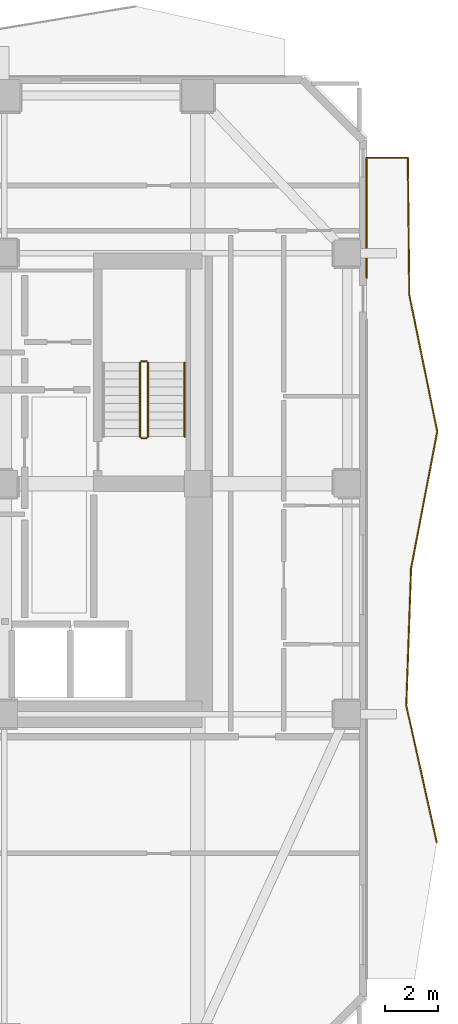
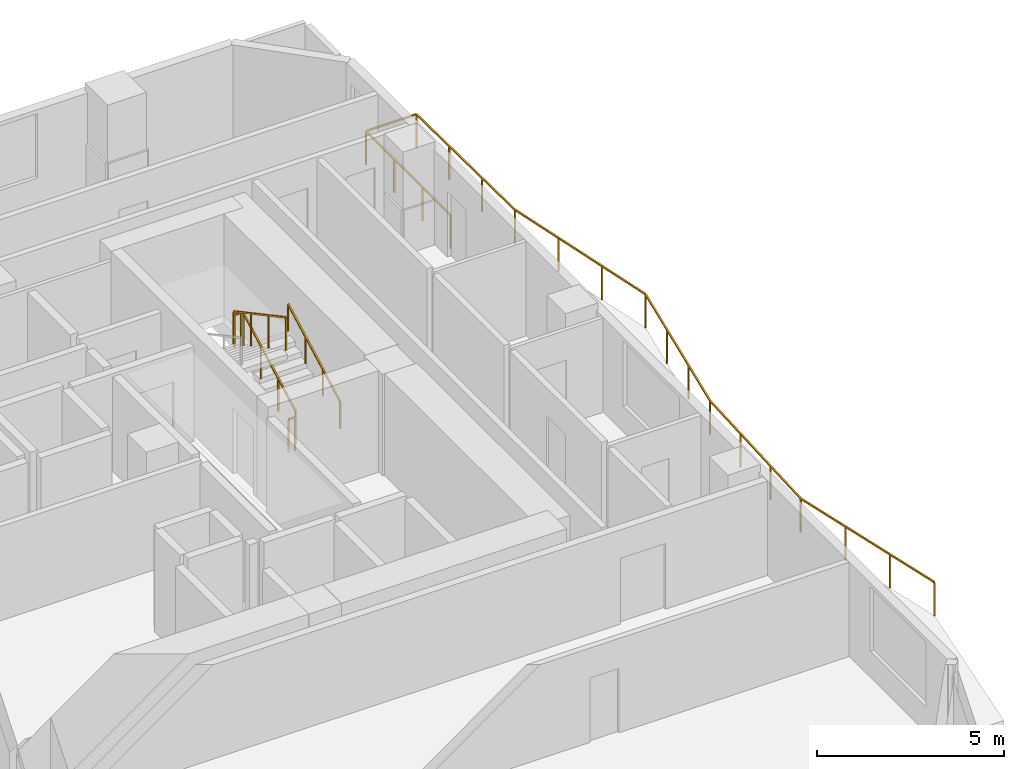
# One storey, part 9 of 10: 6 railings.
"""IFC4 building model written with IfcOpenShell, lengths in metres."""

from ifc_helpers import new_model, si_unit, direction, frame, origin, origin_2d, place, context, subcontext, project, spatial, rectangle, extrude, material, type_object, element, save


model = new_model("IFC4")

# Units and contexts
model_context = context("Model", 3, precision=1e-05, world=origin(), true_north=direction((0.0, 1.0)))
body_context = subcontext(model_context, "Body", "Model", "MODEL_VIEW")
ifc_project = project(units=[si_unit("LENGTHUNIT", "METRE"), si_unit("AREAUNIT", "SQUARE_METRE"), si_unit("VOLUMEUNIT", "CUBIC_METRE"), si_unit("PLANEANGLEUNIT", "RADIAN"), si_unit("MASSUNIT", "GRAM", prefix="KILO")], contexts=[model_context])

# Site, building, storey
site_placement = place(None, origin())
site = spatial("IfcSite", under=ifc_project, at=site_placement, CompositionType="ELEMENT")
building_placement = place(site_placement, origin())
building = spatial("IfcBuilding", under=site, at=building_placement, Name="Solanera Arch Residences", CompositionType="ELEMENT")
storey_placement = place(building_placement, frame((0.0, 0.0, 119.360107421875)))
storey = spatial("IfcBuildingStorey", under=building, at=storey_placement, Name="L34", CompositionType="ELEMENT", Elevation=119.360107421875)

# Railings
ifc_material_1 = material(Name="Steel S355 (ASTM A992 / A572 Grade 50)", Category="steel")
railing_type_1 = type_object("IfcRailingType", Name="Balustrade Railing BL-1100", PredefinedType="BALUSTRADE", material=ifc_material_1)
railing_1_placement = place(storey_placement, frame((45.528076171875, 17.1669921875, 0.0)))
element("IfcRailing", 1, at=railing_1_placement, inside=storey, type_object=railing_type_1, Name="L34 E Balcony Balustrade 1", PredefinedType="BALUSTRADE", context=body_context, shape_type="SweptSolid", body=[
    extrude(rectangle(XDim=0.048095703125, YDim=0.048095703125, at=origin_2d()), frame((0.0, 0.0, 1.09619140625), z_axis=(-0.217140486335, 0.976140363469, 0.0), x_axis=(-0.976140363469, -0.217140486335, 0.0)), (0.0, 0.0, 1.0), 5.292236328125),
    extrude(rectangle(XDim=0.048095703125, YDim=0.048095703125, at=origin_2d()), frame((-1.149169921875, 5.166015625, 1.09619140625), z_axis=(0.035038007821, 0.999385980494, 0.0), x_axis=(-0.999385980494, 0.035038007821, 0.0)), (0.0, 0.0, 1.0), 5.170166015625),
    extrude(rectangle(XDim=0.048095703125, YDim=0.048095703125, at=origin_2d()), frame((-0.968017578125, 10.3330078125, 1.09619140625), z_axis=(0.18799702514, 0.982169597645, 0.0), x_axis=(-0.982169597645, 0.18799702514, 0.0)), (0.0, 0.0, 1.0), 5.2607421875),
    extrude(rectangle(XDim=0.048095703125, YDim=0.048095703125, at=origin_2d()), frame((0.02099609375, 15.5, 1.09619140625), z_axis=(-0.200299271091, 0.979734761045, 0.0), x_axis=(-0.979734761045, -0.200299271091, 0.0)), (0.0, 0.0, 1.0), 5.27294921875),
    extrude(rectangle(XDim=0.048095703125, YDim=0.048095703125, at=origin_2d()), frame((-1.03515625, 20.666015625, 1.09619140625), z_axis=(-0.01063065989, 0.999943492939, 0.0), x_axis=(-0.999943492939, -0.01063065989, 0.0)), (0.0, 0.0, 1.0), 5.167236328125),
    extrude(rectangle(XDim=0.048095703125, YDim=0.048095703125, at=origin_2d()), frame((-1.090087890625, 25.8330078125, 1.09619140625), z_axis=(-1.0, 0.0, 0.0), x_axis=(0.0, -1.0, 0.0)), (0.0, 0.0, 1.0), 1.55810546875),
    extrude(rectangle(XDim=0.048095703125, YDim=0.048095703125, at=origin_2d()), frame((-2.648193359375, 25.8330078125, 1.09619140625), z_axis=(0.0, -1.0, 0.0), x_axis=(1.0, 0.0, 0.0)), (0.0, 0.0, 1.0), 4.52197265625),
    extrude(rectangle(XDim=0.0419921875, YDim=0.0419921875, at=origin_2d()), origin(), (0.0, 0.0, 1.0), 1.072021484375),
    extrude(rectangle(XDim=0.0419921875, YDim=0.0419921875, at=origin_2d()), frame((-0.383056640625, 1.721923828125, 0.0)), (0.0, 0.0, 1.0), 1.072021484375),
    extrude(rectangle(XDim=0.0419921875, YDim=0.0419921875, at=origin_2d()), frame((-0.76611328125, 3.444091796875, 0.0)), (0.0, 0.0, 1.0), 1.072021484375),
    extrude(rectangle(XDim=0.0419921875, YDim=0.0419921875, at=origin_2d()), frame((-1.149169921875, 5.166015625, 0.0)), (0.0, 0.0, 1.0), 1.072021484375),
    extrude(rectangle(XDim=0.0419921875, YDim=0.0419921875, at=origin_2d()), frame((-1.0888671875, 6.888427734375, 0.0)), (0.0, 0.0, 1.0), 1.072021484375),
    extrude(rectangle(XDim=0.0419921875, YDim=0.0419921875, at=origin_2d()), frame((-1.0283203125, 8.610595703125, 0.0)), (0.0, 0.0, 1.0), 1.072021484375),
    extrude(rectangle(XDim=0.0419921875, YDim=0.0419921875, at=origin_2d()), frame((-0.968017578125, 10.3330078125, 0.0)), (0.0, 0.0, 1.0), 1.072021484375),
    extrude(rectangle(XDim=0.0419921875, YDim=0.0419921875, at=origin_2d()), frame((-0.638427734375, 12.055419921875, 0.0)), (0.0, 0.0, 1.0), 1.072021484375),
    extrude(rectangle(XDim=0.0419921875, YDim=0.0419921875, at=origin_2d()), frame((-0.30859375, 13.777587890625, 0.0)), (0.0, 0.0, 1.0), 1.072021484375),
    extrude(rectangle(XDim=0.0419921875, YDim=0.0419921875, at=origin_2d()), frame((0.02099609375, 15.5, 0.0)), (0.0, 0.0, 1.0), 1.072021484375),
    extrude(rectangle(XDim=0.0419921875, YDim=0.0419921875, at=origin_2d()), frame((-0.3310546875, 17.221923828125, 0.0)), (0.0, 0.0, 1.0), 1.072021484375),
    extrude(rectangle(XDim=0.0419921875, YDim=0.0419921875, at=origin_2d()), frame((-0.68310546875, 18.944091796875, 0.0)), (0.0, 0.0, 1.0), 1.072021484375),
    extrude(rectangle(XDim=0.0419921875, YDim=0.0419921875, at=origin_2d()), frame((-1.03515625, 20.666015625, 0.0)), (0.0, 0.0, 1.0), 1.072021484375),
    extrude(rectangle(XDim=0.0419921875, YDim=0.0419921875, at=origin_2d()), frame((-1.053466796875, 22.388427734375, 0.0)), (0.0, 0.0, 1.0), 1.072021484375),
    extrude(rectangle(XDim=0.0419921875, YDim=0.0419921875, at=origin_2d()), frame((-1.07177734375, 24.110595703125, 0.0)), (0.0, 0.0, 1.0), 1.072021484375),
    extrude(rectangle(XDim=0.0419921875, YDim=0.0419921875, at=origin_2d()), frame((-1.090087890625, 25.8330078125, 0.0)), (0.0, 0.0, 1.0), 1.072021484375),
    extrude(rectangle(XDim=0.0419921875, YDim=0.0419921875, at=origin_2d()), frame((-2.648193359375, 25.8330078125, 0.0)), (0.0, 0.0, 1.0), 1.072021484375),
    extrude(rectangle(XDim=0.0419921875, YDim=0.0419921875, at=origin_2d()), frame((-2.648193359375, 24.32568359375, 0.0)), (0.0, 0.0, 1.0), 1.072021484375),
    extrude(rectangle(XDim=0.0419921875, YDim=0.0419921875, at=origin_2d()), frame((-2.648193359375, 22.818359375, 0.0)), (0.0, 0.0, 1.0), 1.072021484375),
    extrude(rectangle(XDim=0.0419921875, YDim=0.0419921875, at=origin_2d()), frame((-2.648193359375, 21.31103515625, 0.0)), (0.0, 0.0, 1.0), 1.072021484375),
])
ifc_material_2 = material(Name="Steel S355 (ASTM A992 / A572 Grade 50)", Category="steel")
railing_type_2 = type_object("IfcRailingType", Name="Stair Guardrail GR-1100", PredefinedType="GUARDRAIL", material=ifc_material_2)
railing_2_placement = place(storey_placement, frame((34.6298828125, 32.47998046875, 0.15087890625)))
element("IfcRailing", 2, at=railing_2_placement, inside=storey, type_object=railing_type_2, Name="L34 ST-T2 stair guard 1", PredefinedType="GUARDRAIL", context=body_context, shape_type="SweptSolid", body=[
    extrude(rectangle(XDim=0.048095703125, YDim=0.048095703125, at=origin_2d()), frame((0.0, 0.0, 1.076171875), z_axis=(0.0, 0.881580869306, 0.472033018838), x_axis=(-1.0, 0.0, 0.0)), (0.0, 0.0, 1.0), 3.164794921875),
    extrude(rectangle(XDim=0.0419921875, YDim=0.0419921875, at=origin_2d()), origin(), (0.0, 0.0, 1.0), 1.052001953125),
    extrude(rectangle(XDim=0.0419921875, YDim=0.0419921875, at=origin_2d()), frame((0.0, 0.929931640625, 0.498046875)), (0.0, 0.0, 1.0), 1.052001953125),
    extrude(rectangle(XDim=0.0419921875, YDim=0.0419921875, at=origin_2d()), frame((0.0, 1.860107421875, 0.995849609375)), (0.0, 0.0, 1.0), 1.052001953125),
    extrude(rectangle(XDim=0.0419921875, YDim=0.0419921875, at=origin_2d()), frame((0.0, 2.7900390625, 1.493896484375)), (0.0, 0.0, 1.0), 1.052001953125),
])
railing_3_placement = place(storey_placement, frame((34.580078125, 35.320068359375, 1.644775390625)))
element("IfcRailing", 3, at=railing_3_placement, inside=storey, type_object=railing_type_2, Name="L34 ST-T2 stair guard 2", PredefinedType="GUARDRAIL", context=body_context, shape_type="SweptSolid", body=[
    extrude(rectangle(XDim=0.048095703125, YDim=0.048095703125, at=origin_2d()), frame((0.0, 0.0, 1.076171875), z_axis=(-1.0, 0.0, 0.0), x_axis=(0.0, -1.0, 0.0)), (0.0, 0.0, 1.0), 0.2001953125),
    extrude(rectangle(XDim=0.0419921875, YDim=0.0419921875, at=origin_2d()), origin(), (0.0, 0.0, 1.0), 1.052001953125),
    extrude(rectangle(XDim=0.0419921875, YDim=0.0419921875, at=origin_2d()), frame((-0.2001953125, 0.0, 0.0)), (0.0, 0.0, 1.0), 1.052001953125),
])
railing_4_placement = place(storey_placement, frame((34.330078125, 35.27001953125, 1.810791015625)))
element("IfcRailing", 4, at=railing_4_placement, inside=storey, type_object=railing_type_2, Name="L34 ST-T2 stair guard 3", PredefinedType="GUARDRAIL", context=body_context, shape_type="SweptSolid", body=[
    extrude(rectangle(XDim=0.048095703125, YDim=0.048095703125, at=origin_2d()), frame((0.0, 0.0, 1.076171875), z_axis=(0.0, -0.881548766853, 0.472092969298), x_axis=(1.0, 0.0, 0.0)), (0.0, 0.0, 1.0), 3.1650390625),
    extrude(rectangle(XDim=0.0419921875, YDim=0.0419921875, at=origin_2d()), origin(), (0.0, 0.0, 1.0), 1.052001953125),
    extrude(rectangle(XDim=0.0419921875, YDim=0.0419921875, at=origin_2d()), frame((0.0, -0.929931640625, 0.498046875)), (0.0, 0.0, 1.0), 1.052001953125),
    extrude(rectangle(XDim=0.0419921875, YDim=0.0419921875, at=origin_2d()), frame((0.0, -1.860107421875, 0.99609375)), (0.0, 0.0, 1.0), 1.052001953125),
    extrude(rectangle(XDim=0.0419921875, YDim=0.0419921875, at=origin_2d()), frame((0.0, -2.7900390625, 1.494140625)), (0.0, 0.0, 1.0), 1.052001953125),
])
railing_5_placement = place(storey_placement, frame((34.580078125, 32.429931640625, -0.01513671875)))
element("IfcRailing", 5, at=railing_5_placement, inside=storey, type_object=railing_type_2, Name="L34 ST-T2 stair guard 4", PredefinedType="GUARDRAIL", context=body_context, shape_type="SweptSolid", body=[
    extrude(rectangle(XDim=0.048095703125, YDim=0.048095703125, at=origin_2d()), frame((0.0, 0.0, 1.076171875), z_axis=(-1.0, 0.0, 0.0), x_axis=(0.0, -1.0, 0.0)), (0.0, 0.0, 1.0), 0.2001953125),
    extrude(rectangle(XDim=0.0419921875, YDim=0.0419921875, at=origin_2d()), origin(), (0.0, 0.0, 1.0), 1.052001953125),
    extrude(rectangle(XDim=0.0419921875, YDim=0.0419921875, at=origin_2d()), frame((-0.2001953125, 0.0, 0.0)), (0.0, 0.0, 1.0), 1.052001953125),
])
ifc_material_3 = material(Name="Steel S355 (ASTM A992 / A572 Grade 50)", Category="steel")
railing_type_3 = type_object("IfcRailingType", Name="Stair Wall Handrail HR-920", PredefinedType="HANDRAIL", material=ifc_material_3)
railing_6_placement = place(storey_placement, frame((36.010009765625, 32.47998046875, 0.165771484375)))
element("IfcRailing", 6, at=railing_6_placement, inside=storey, type_object=railing_type_3, Name="L34 ST-T2 stair handrail 1", PredefinedType="HANDRAIL", context=body_context, shape_type="SweptSolid", body=[
    extrude(rectangle(XDim=0.048095703125, YDim=0.048095703125, at=origin_2d()), frame((0.0, 0.0, 0.8759765625), z_axis=(0.0, 0.881548766853, 0.472092969298), x_axis=(-1.0, 0.0, 0.0)), (0.0, 0.0, 1.0), 3.1650390625),
    extrude(rectangle(XDim=0.0419921875, YDim=0.0419921875, at=origin_2d()), origin(), (0.0, 0.0, 1.0), 0.851806640625),
    extrude(rectangle(XDim=0.0419921875, YDim=0.0419921875, at=origin_2d()), frame((0.0, 0.929931640625, 0.498046875)), (0.0, 0.0, 1.0), 0.851806640625),
    extrude(rectangle(XDim=0.0419921875, YDim=0.0419921875, at=origin_2d()), frame((0.0, 1.860107421875, 0.99609375)), (0.0, 0.0, 1.0), 0.851806640625),
    extrude(rectangle(XDim=0.0419921875, YDim=0.0419921875, at=origin_2d()), frame((0.0, 2.7900390625, 1.494140625)), (0.0, 0.0, 1.0), 0.851806640625),
])

save(model, "model.ifc")
